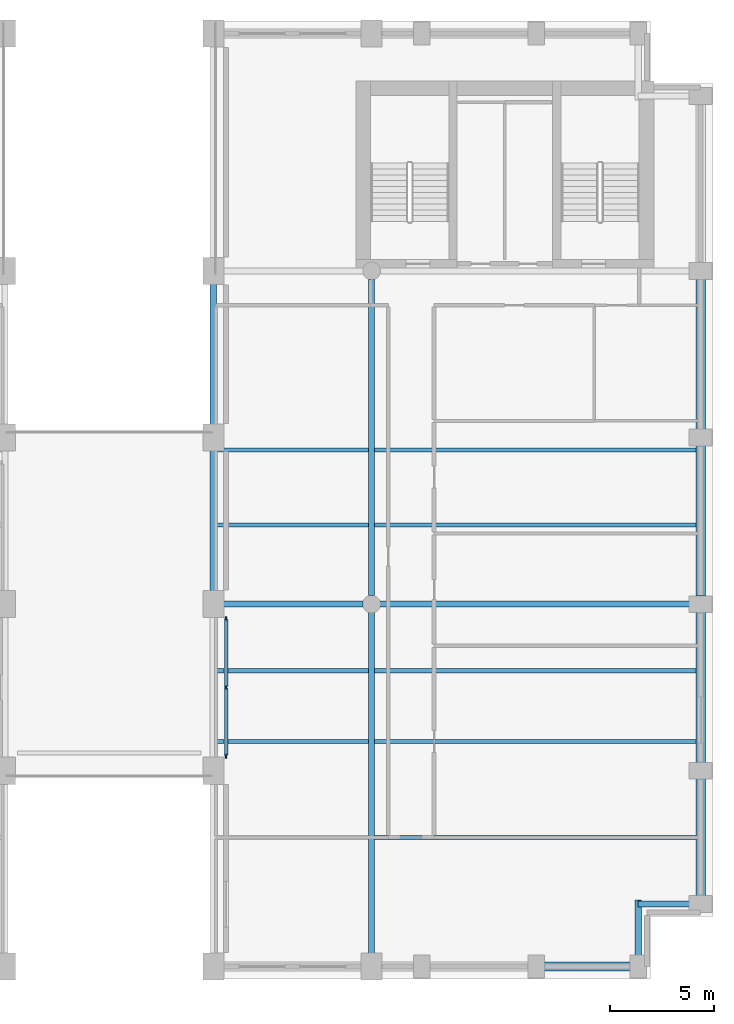
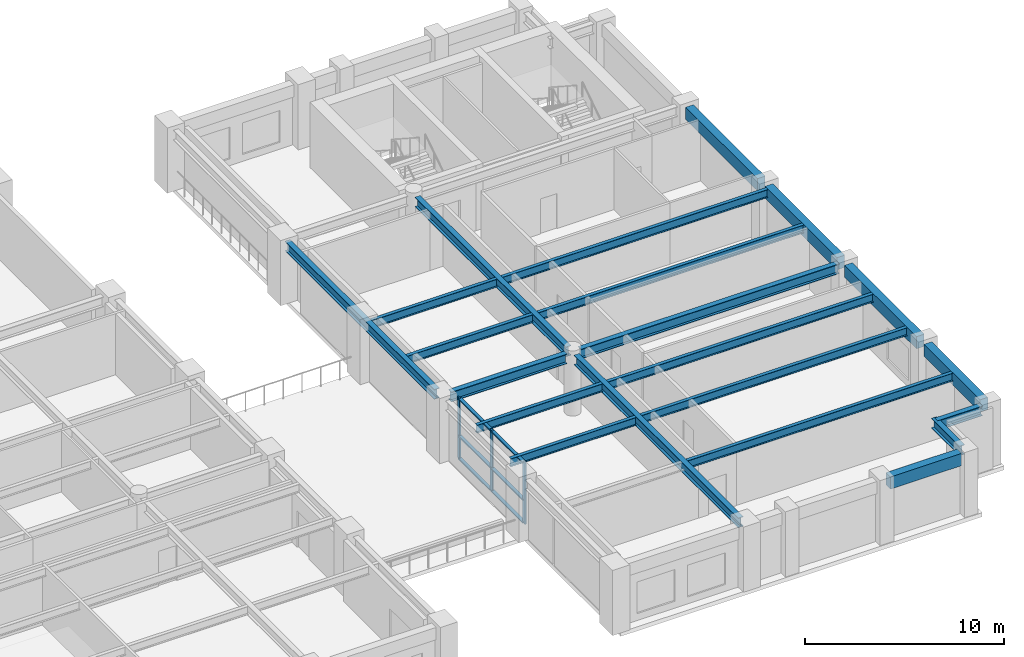
# One storey, part 2 of 10: 21 beams, 9 members, 1 element without a shape of its own.
"""IFC4 building model written with IfcOpenShell, lengths in metres."""

from ifc_helpers import new_model, si_unit, direction, frame, origin, origin_2d, place, context, subcontext, project, spatial, rectangle, i_section, extrude, material, layer, layer_set, material_profile, profile_set, type_object, element, aggregate, save


model = new_model("IFC4")

# Units and contexts
model_context = context("Model", 3, precision=1e-05, world=origin(), true_north=direction((0.0, 1.0)))
body_context = subcontext(model_context, "Body", "Model", "MODEL_VIEW")
ifc_project = project(units=[si_unit("LENGTHUNIT", "METRE"), si_unit("AREAUNIT", "SQUARE_METRE"), si_unit("VOLUMEUNIT", "CUBIC_METRE"), si_unit("PLANEANGLEUNIT", "RADIAN"), si_unit("MASSUNIT", "GRAM", prefix="KILO")], contexts=[model_context])

# Site, building, storey
site_placement = place(None, origin())
site = spatial("IfcSite", under=ifc_project, at=site_placement, CompositionType="ELEMENT")
building_placement = place(site_placement, origin())
building = spatial("IfcBuilding", under=site, at=building_placement, Name="Sulina Concourse Tower", CompositionType="ELEMENT")
storey_placement = place(building_placement, frame((0.0, 0.0, 182.60009765625)))
storey = spatial("IfcBuildingStorey", under=building, at=storey_placement, Name="L44", CompositionType="ELEMENT", Elevation=182.60009765625)

# Beams
ifc_material_1 = material(Name="Steel S355", Category="steel")
ifc_material_profile_1 = material_profile(ifc_material_1, i_section(OverallWidth=0.199951171875, OverallDepth=0.5, WebThickness=0.01025390625, FlangeThickness=0.01611328125, at=origin_2d()), Name="IPE 500")
ifc_profile_set_1 = profile_set([ifc_material_profile_1], Name="Steel S355")
beam_type_1 = type_object("IfcBeamType", Name="Composite Floor Joist IPE500", PredefinedType="JOIST", material=ifc_profile_set_1)
beam_1_placement = place(storey_placement, frame((41.75, 6.800048828125, 3.5), z_axis=(1.0, 0.0, 0.0), x_axis=(0.0, 1.0, 0.0)))
element("IfcBeam", 1, at=beam_1_placement, inside=storey, type_object=beam_type_1, Name="FJ-J06-5-L44", PredefinedType="JOIST", context=body_context, shape_type="SweptSolid", body=[
    extrude(i_section(OverallWidth=0.199951171875, OverallDepth=0.5, WebThickness=0.01025390625, FlangeThickness=0.01611328125, at=origin_2d()), origin(), (0.0, 0.0, 1.0), 15.425048828125),
])
beam_2_placement = place(storey_placement, frame((34.14990234375, 11.39990234375, 3.5), z_axis=(1.0, 0.0, 0.0), x_axis=(0.0, 1.0, 0.0)))
element("IfcBeam", 2, at=beam_2_placement, inside=storey, type_object=beam_type_1, Name="FJ-J11-4-L44", PredefinedType="JOIST", context=body_context, shape_type="SweptSolid", body=[
    extrude(i_section(OverallWidth=0.199951171875, OverallDepth=0.5, WebThickness=0.01025390625, FlangeThickness=0.01611328125, at=origin_2d()), origin(), (0.0, 0.0, 1.0), 7.300048828125),
])
beam_3_placement = place(storey_placement, frame((41.75, 11.39990234375, 3.5), z_axis=(1.0, 0.0, 0.0), x_axis=(0.0, 1.0, 0.0)))
element("IfcBeam", 3, at=beam_3_placement, inside=storey, type_object=beam_type_1, Name="FJ-J11-5-L44", PredefinedType="JOIST", context=body_context, shape_type="SweptSolid", body=[
    extrude(i_section(OverallWidth=0.199951171875, OverallDepth=0.5, WebThickness=0.01025390625, FlangeThickness=0.01611328125, at=origin_2d()), origin(), (0.0, 0.0, 1.0), 15.425048828125),
])
beam_4_placement = place(storey_placement, frame((34.14990234375, 14.800048828125, 3.5), z_axis=(1.0, 0.0, 0.0), x_axis=(0.0, 1.0, 0.0)))
element("IfcBeam", 4, at=beam_4_placement, inside=storey, type_object=beam_type_1, Name="FJ-J15-4-L44", PredefinedType="JOIST", context=body_context, shape_type="SweptSolid", body=[
    extrude(i_section(OverallWidth=0.199951171875, OverallDepth=0.5, WebThickness=0.01025390625, FlangeThickness=0.01611328125, at=origin_2d()), origin(), (0.0, 0.0, 1.0), 7.300048828125),
])
beam_5_placement = place(storey_placement, frame((41.75, 14.800048828125, 3.5), z_axis=(1.0, 0.0, 0.0), x_axis=(0.0, 1.0, 0.0)))
element("IfcBeam", 5, at=beam_5_placement, inside=storey, type_object=beam_type_1, Name="FJ-J15-5-L44", PredefinedType="JOIST", context=body_context, shape_type="SweptSolid", body=[
    extrude(i_section(OverallWidth=0.199951171875, OverallDepth=0.5, WebThickness=0.01025390625, FlangeThickness=0.01611328125, at=origin_2d()), origin(), (0.0, 0.0, 1.0), 15.425048828125),
])
beam_6_placement = place(storey_placement, frame((34.14990234375, 21.800048828125, 3.5), z_axis=(1.0, 0.0, 0.0), x_axis=(0.0, 1.0, 0.0)))
element("IfcBeam", 6, at=beam_6_placement, inside=storey, type_object=beam_type_1, Name="FJ-J22-4-L44", PredefinedType="JOIST", context=body_context, shape_type="SweptSolid", body=[
    extrude(i_section(OverallWidth=0.199951171875, OverallDepth=0.5, WebThickness=0.01025390625, FlangeThickness=0.01611328125, at=origin_2d()), origin(), (0.0, 0.0, 1.0), 7.300048828125),
])
beam_7_placement = place(storey_placement, frame((41.75, 21.800048828125, 3.5), z_axis=(1.0, 0.0, 0.0), x_axis=(0.0, 1.0, 0.0)))
element("IfcBeam", 7, at=beam_7_placement, inside=storey, type_object=beam_type_1, Name="FJ-J22-5-L44", PredefinedType="JOIST", context=body_context, shape_type="SweptSolid", body=[
    extrude(i_section(OverallWidth=0.199951171875, OverallDepth=0.5, WebThickness=0.01025390625, FlangeThickness=0.01611328125, at=origin_2d()), origin(), (0.0, 0.0, 1.0), 15.425048828125),
])
beam_8_placement = place(storey_placement, frame((34.14990234375, 25.39990234375, 3.5), z_axis=(1.0, 0.0, 0.0), x_axis=(0.0, 1.0, 0.0)))
element("IfcBeam", 8, at=beam_8_placement, inside=storey, type_object=beam_type_1, Name="FJ-J25-4-L44", PredefinedType="JOIST", context=body_context, shape_type="SweptSolid", body=[
    extrude(i_section(OverallWidth=0.199951171875, OverallDepth=0.5, WebThickness=0.01025390625, FlangeThickness=0.01611328125, at=origin_2d()), origin(), (0.0, 0.0, 1.0), 7.300048828125),
])
beam_9_placement = place(storey_placement, frame((41.75, 25.39990234375, 3.5), z_axis=(1.0, 0.0, 0.0), x_axis=(0.0, 1.0, 0.0)))
element("IfcBeam", 9, at=beam_9_placement, inside=storey, type_object=beam_type_1, Name="FJ-J25-5-L44", PredefinedType="JOIST", context=body_context, shape_type="SweptSolid", body=[
    extrude(i_section(OverallWidth=0.199951171875, OverallDepth=0.5, WebThickness=0.01025390625, FlangeThickness=0.01611328125, at=origin_2d()), origin(), (0.0, 0.0, 1.0), 15.425048828125),
])
ifc_material_2 = material(Name="Steel S355", Category="steel")
ifc_material_profile_2 = material_profile(ifc_material_2, i_section(OverallWidth=0.300048828125, OverallDepth=0.60009765625, WebThickness=0.015380859375, FlangeThickness=0.030029296875, at=origin_2d()), Name="HE 600 B")
ifc_profile_set_2 = profile_set([ifc_material_profile_2], Name="Steel S355")
beam_type_2 = type_object("IfcBeamType", Name="Floor Primary Girder Zone 3 HE600B", PredefinedType="BEAM", material=ifc_profile_set_2)
beam_10_placement = place(storey_placement, frame((54.39990234375, 3.60009765625, 3.449951171875), z_axis=(1.0, 0.0, 0.0), x_axis=(0.0, 1.0, 0.0)))
element("IfcBeam", 10, at=beam_10_placement, inside=storey, type_object=beam_type_2, Name="TIE-SE-L44", PredefinedType="BEAM", context=body_context, shape_type="SweptSolid", body=[
    extrude(i_section(OverallWidth=0.300048828125, OverallDepth=0.60009765625, WebThickness=0.015380859375, FlangeThickness=0.030029296875, at=origin_2d()), origin(), (0.0, 0.0, 1.0), 2.6201171875),
])
beam_11_placement = place(storey_placement, frame((54.39990234375, 0.97998046875, 3.449951171875), z_axis=(0.0, 1.0, 0.0), x_axis=(-1.0, 0.0, 0.0)))
element("IfcBeam", 11, at=beam_11_placement, inside=storey, type_object=beam_type_2, Name="TIE-SES-L44", PredefinedType="BEAM", context=body_context, shape_type="SweptSolid", body=[
    extrude(i_section(OverallWidth=0.300048828125, OverallDepth=0.60009765625, WebThickness=0.015380859375, FlangeThickness=0.030029296875, at=origin_2d()), origin(), (0.0, 0.0, 1.0), 2.820068359375),
])
beam_12_placement = place(storey_placement, frame((34.47998046875, 18.0, 3.449951171875), z_axis=(1.0, 0.0, 0.0), x_axis=(0.0, 1.0, 0.0)))
element("IfcBeam", 12, at=beam_12_placement, inside=storey, type_object=beam_type_2, Name="FG-EW4-L44", PredefinedType="BEAM", context=body_context, shape_type="SweptSolid", body=[
    extrude(i_section(OverallWidth=0.300048828125, OverallDepth=0.60009765625, WebThickness=0.015380859375, FlangeThickness=0.030029296875, at=origin_2d()), origin(), (0.0, 0.0, 1.0), 6.715087890625),
])
beam_13_placement = place(storey_placement, frame((42.0048828125, 18.0, 3.449951171875), z_axis=(1.0, 0.0, 0.0), x_axis=(0.0, 1.0, 0.0)))
element("IfcBeam", 13, at=beam_13_placement, inside=storey, type_object=beam_type_2, Name="FG-EW5-L44", PredefinedType="BEAM", context=body_context, shape_type="SweptSolid", body=[
    extrude(i_section(OverallWidth=0.300048828125, OverallDepth=0.60009765625, WebThickness=0.015380859375, FlangeThickness=0.030029296875, at=origin_2d()), origin(), (0.0, 0.0, 1.0), 15.01513671875),
])
beam_14_placement = place(storey_placement, frame((34.0, 18.47998046875, 3.449951171875), z_axis=(0.0, 1.0, 0.0), x_axis=(-1.0, 0.0, 0.0)))
element("IfcBeam", 14, at=beam_14_placement, inside=storey, type_object=beam_type_2, Name="FG-NSB-34-L44", PredefinedType="BEAM", context=body_context, shape_type="SweptSolid", body=[
    extrude(i_section(OverallWidth=0.300048828125, OverallDepth=0.60009765625, WebThickness=0.015380859375, FlangeThickness=0.030029296875, at=origin_2d()), origin(), (0.0, 0.0, 1.0), 15.0400390625),
])
beam_15_placement = place(storey_placement, frame((41.60009765625, 1.080078125, 3.449951171875), z_axis=(0.0, 1.0, 0.0), x_axis=(-1.0, 0.0, 0.0)))
element("IfcBeam", 15, at=beam_15_placement, inside=storey, type_object=beam_type_2, Name="FG-NSA-41-L44", PredefinedType="BEAM", context=body_context, shape_type="SweptSolid", body=[
    extrude(i_section(OverallWidth=0.300048828125, OverallDepth=0.60009765625, WebThickness=0.015380859375, FlangeThickness=0.030029296875, at=origin_2d()), origin(), (0.0, 0.0, 1.0), 16.514892578125),
])
beam_16_placement = place(storey_placement, frame((41.60009765625, 18.405029296875, 3.449951171875), z_axis=(0.0, 1.0, 0.0), x_axis=(-1.0, 0.0, 0.0)))
element("IfcBeam", 16, at=beam_16_placement, inside=storey, type_object=beam_type_2, Name="FG-NSB-41-L44", PredefinedType="BEAM", context=body_context, shape_type="SweptSolid", body=[
    extrude(i_section(OverallWidth=0.300048828125, OverallDepth=0.60009765625, WebThickness=0.015380859375, FlangeThickness=0.030029296875, at=origin_2d()), origin(), (0.0, 0.0, 1.0), 15.18994140625),
])
ifc_material_3 = material(Name="Precast concrete C50/60", Category="concrete")
ifc_material_profile_3 = material_profile(ifc_material_3, rectangle(XDim=0.449951171875, YDim=0.75, at=origin_2d()), Name="RC 450x750")
ifc_profile_set_3 = profile_set([ifc_material_profile_3], Name="Precast concrete C50/60")
beam_type_3 = type_object("IfcBeamType", Name="Upper Precast Spandrel Edge Beam 450x750", PredefinedType="BEAM", material=ifc_profile_set_3)
beam_17_placement = place(storey_placement, frame((49.8798828125, 0.60009765625, 3.375), z_axis=(1.0, 0.0, 0.0), x_axis=(0.0, 1.0, 0.0)))
element("IfcBeam", 17, at=beam_17_placement, inside=storey, type_object=beam_type_3, Name="SP-S9-L44", PredefinedType="BEAM", context=body_context, shape_type="SweptSolid", body=[
    extrude(rectangle(XDim=0.449951171875, YDim=0.75, at=origin_2d()), origin(), (0.0, 0.0, 1.0), 4.14013671875),
])
beam_18_placement = place(storey_placement, frame((57.39990234375, 3.97998046875, 3.375), z_axis=(0.0, 1.0, 0.0), x_axis=(-1.0, 0.0, 0.0)))
element("IfcBeam", 18, at=beam_18_placement, inside=storey, type_object=beam_type_3, Name="SP-E1-L44", PredefinedType="BEAM", context=body_context, shape_type="SweptSolid", body=[
    extrude(rectangle(XDim=0.449951171875, YDim=0.75, at=origin_2d()), origin(), (0.0, 0.0, 1.0), 5.64013671875),
])
for number, where, z_axis, x_axis, name in (
    (19, (57.39990234375, 10.3798828125, 3.375), (0.0, 1.0, 0.0), (-1.0, 0.0, 0.0), "SP-E2-L44"),
    (20, (57.39990234375, 18.3798828125, 3.375), (0.0, 1.0, 0.0), (-1.0, 0.0, 0.0), "SP-E3-L44"),
    (21, (57.39990234375, 26.3798828125, 3.375), (0.0, 1.0, 0.0), (-1.0, 0.0, 0.0), "SP-E4-L44"),
):
    element("IfcBeam", number, at=place(storey_placement, frame(where, z_axis=z_axis, x_axis=x_axis)), inside=storey, type_object=beam_type_3, Name=name, PredefinedType="BEAM", context=body_context, shape_type="SweptSolid", body=[
        extrude(rectangle(XDim=0.449951171875, YDim=0.75, at=origin_2d()), origin(), (0.0, 0.0, 1.0), 7.240234375),
    ])

# Curtain wall, members
ifc_material_4 = material(Name="Aluminium 6063-T6", Category="aluminium")
ifc_layer = layer(ifc_material_4, 0.25)
ifc_layer_set = layer_set([ifc_layer], Name="Aluminium 6063-T6")
curtain_wall_type = type_object("IfcCurtainWallType", Name="Upper Wind-Portal Curtain Wall System", PredefinedType="NOTDEFINED", material=ifc_layer_set)
curtain_wall_placement = place(storey_placement, origin())
curtain_wall = element("IfcCurtainWall", 22, at=curtain_wall_placement, inside=storey, type_object=curtain_wall_type, Name="L44 glazed curtain wall PE2", PredefinedType="NOTDEFINED")
ifc_material_5 = material(Name="Aluminium 6063-T6", Category="aluminium")
ifc_material_profile_4 = material_profile(ifc_material_5, rectangle(XDim=0.080078125, YDim=0.22998046875, at=origin_2d()), Name="MUL 80x230")
ifc_profile_set_4 = profile_set([ifc_material_profile_4], Name="Aluminium 6063-T6")
member_type_1 = type_object("IfcMemberType", Name="Upper Wind-Portal Curtain Wall System Mullion 80x230", PredefinedType="MULLION", material=ifc_profile_set_4)
member_1_placement = place(storey_placement, frame((34.60009765625, 10.7099609375, 0.0), z_axis=(0.0, 0.0, 1.0), x_axis=(-1.0, 0.0, 0.0)))
member_1 = element("IfcMember", 23, at=member_1_placement, type_object=member_type_1, Name="CW-04 mullion 1", PredefinedType="MULLION", context=body_context, shape_type="SweptSolid", body=[
    extrude(rectangle(XDim=0.080078125, YDim=0.22998046875, at=origin_2d()), origin(), (0.0, 0.0, 1.0), 3.75),
])
member_2_placement = place(storey_placement, frame((34.60009765625, 14.0, 0.0), z_axis=(0.0, 0.0, 1.0), x_axis=(-1.0, 0.0, 0.0)))
member_2 = element("IfcMember", 24, at=member_2_placement, type_object=member_type_1, Name="CW-04 mullion 2", PredefinedType="MULLION", context=body_context, shape_type="SweptSolid", body=[
    extrude(rectangle(XDim=0.080078125, YDim=0.22998046875, at=origin_2d()), origin(), (0.0, 0.0, 1.0), 3.75),
])
member_3_placement = place(storey_placement, frame((34.60009765625, 17.2900390625, 0.0), z_axis=(0.0, 0.0, 1.0), x_axis=(-1.0, 0.0, 0.0)))
member_3 = element("IfcMember", 25, at=member_3_placement, type_object=member_type_1, Name="CW-04 mullion 3", PredefinedType="MULLION", context=body_context, shape_type="SweptSolid", body=[
    extrude(rectangle(XDim=0.080078125, YDim=0.22998046875, at=origin_2d()), origin(), (0.0, 0.0, 1.0), 3.75),
])
ifc_material_6 = material(Name="Aluminium 6063-T6", Category="aluminium")
ifc_material_profile_5 = material_profile(ifc_material_6, rectangle(XDim=0.18505859375, YDim=0.074951171875, at=origin_2d()), Name="TRN 75x185")
ifc_profile_set_5 = profile_set([ifc_material_profile_5], Name="Aluminium 6063-T6")
member_type_2 = type_object("IfcMemberType", Name="Upper Wind-Portal Curtain Wall System Transom 75x185", PredefinedType="USERDEFINED", material=ifc_profile_set_5)
member_4_placement = place(storey_placement, frame((34.60009765625, 10.75, 0.037353515625), z_axis=(0.0, 1.0, 0.0), x_axis=(-1.0, 0.0, 0.0)))
member_4 = element("IfcMember", 26, at=member_4_placement, type_object=member_type_2, Name="CW-04 transom 1.1", ObjectType="TRANSOM", PredefinedType="USERDEFINED", context=body_context, shape_type="SweptSolid", body=[
    extrude(rectangle(XDim=0.18505859375, YDim=0.074951171875, at=origin_2d()), origin(), (0.0, 0.0, 1.0), 3.2099609375),
])
member_5_placement = place(storey_placement, frame((34.60009765625, 10.75, 1.4248046875), z_axis=(0.0, 1.0, 0.0), x_axis=(-1.0, 0.0, 0.0)))
member_5 = element("IfcMember", 27, at=member_5_placement, type_object=member_type_2, Name="CW-04 transom 1.2", ObjectType="TRANSOM", PredefinedType="USERDEFINED", context=body_context, shape_type="SweptSolid", body=[
    extrude(rectangle(XDim=0.18505859375, YDim=0.074951171875, at=origin_2d()), origin(), (0.0, 0.0, 1.0), 3.2099609375),
])
member_6_placement = place(storey_placement, frame((34.60009765625, 10.75, 3.71240234375), z_axis=(0.0, 1.0, 0.0), x_axis=(-1.0, 0.0, 0.0)))
member_6 = element("IfcMember", 28, at=member_6_placement, type_object=member_type_2, Name="CW-04 transom 1.3", ObjectType="TRANSOM", PredefinedType="USERDEFINED", context=body_context, shape_type="SweptSolid", body=[
    extrude(rectangle(XDim=0.18505859375, YDim=0.074951171875, at=origin_2d()), origin(), (0.0, 0.0, 1.0), 3.2099609375),
])
member_7_placement = place(storey_placement, frame((34.60009765625, 14.0400390625, 0.037353515625), z_axis=(0.0, 1.0, 0.0), x_axis=(-1.0, 0.0, 0.0)))
member_7 = element("IfcMember", 29, at=member_7_placement, type_object=member_type_2, Name="CW-04 transom 2.1", ObjectType="TRANSOM", PredefinedType="USERDEFINED", context=body_context, shape_type="SweptSolid", body=[
    extrude(rectangle(XDim=0.18505859375, YDim=0.074951171875, at=origin_2d()), origin(), (0.0, 0.0, 1.0), 3.2099609375),
])
member_8_placement = place(storey_placement, frame((34.60009765625, 14.0400390625, 1.4248046875), z_axis=(0.0, 1.0, 0.0), x_axis=(-1.0, 0.0, 0.0)))
member_8 = element("IfcMember", 30, at=member_8_placement, type_object=member_type_2, Name="CW-04 transom 2.2", ObjectType="TRANSOM", PredefinedType="USERDEFINED", context=body_context, shape_type="SweptSolid", body=[
    extrude(rectangle(XDim=0.18505859375, YDim=0.074951171875, at=origin_2d()), origin(), (0.0, 0.0, 1.0), 3.2099609375),
])
member_9_placement = place(storey_placement, frame((34.60009765625, 14.0400390625, 3.71240234375), z_axis=(0.0, 1.0, 0.0), x_axis=(-1.0, 0.0, 0.0)))
member_9 = element("IfcMember", 31, at=member_9_placement, type_object=member_type_2, Name="CW-04 transom 2.3", ObjectType="TRANSOM", PredefinedType="USERDEFINED", context=body_context, shape_type="SweptSolid", body=[
    extrude(rectangle(XDim=0.18505859375, YDim=0.074951171875, at=origin_2d()), origin(), (0.0, 0.0, 1.0), 3.2099609375),
])
aggregate(curtain_wall, [member_1, member_2, member_3, member_4, member_5, member_6, member_7, member_8, member_9])

save(model, "model.ifc")
